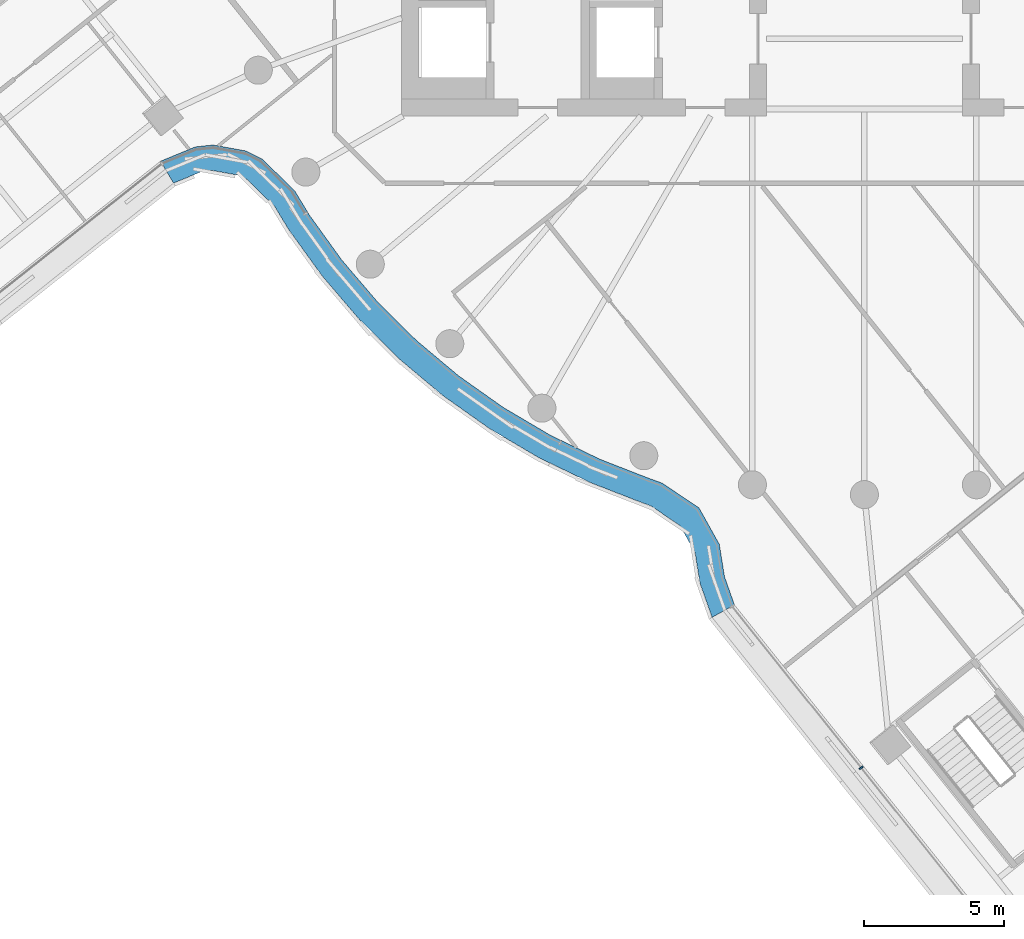
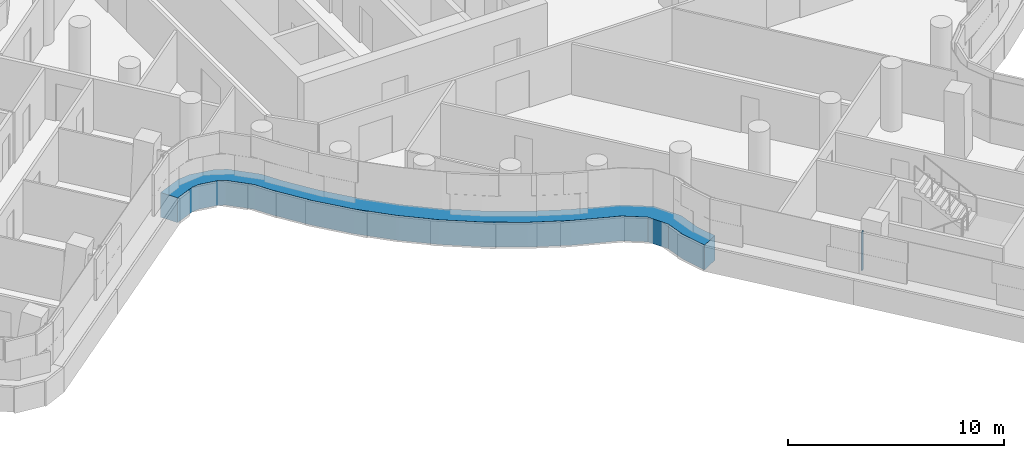
# One storey, part 3 of 31: 2 members, 2 elements without a shape of their own.
"""IFC4 building model written with IfcOpenShell, lengths in metres."""

from ifc_helpers import new_model, si_unit, direction, frame, origin, origin_2d, place, context, subcontext, project, spatial, polyline, rectangle, outline, extrude, material, layer, layer_set, material_profile, profile_set, type_object, element, aggregate, save


model = new_model("IFC4")

# Units and contexts
model_context = context("Model", 3, precision=1e-05, world=origin(), true_north=direction((0.0, 1.0)))
body_context = subcontext(model_context, "Body", "Model", "MODEL_VIEW")
ifc_project = project(units=[si_unit("LENGTHUNIT", "METRE"), si_unit("AREAUNIT", "SQUARE_METRE"), si_unit("VOLUMEUNIT", "CUBIC_METRE"), si_unit("PLANEANGLEUNIT", "RADIAN"), si_unit("MASSUNIT", "GRAM", prefix="KILO")], contexts=[model_context])

# Site, building, storey
site_placement = place(None, origin())
site = spatial("IfcSite", under=ifc_project, at=site_placement, CompositionType="ELEMENT")
building_placement = place(site_placement, origin())
building = spatial("IfcBuilding", under=site, at=building_placement, Name="Tamarind Cross Interchange Tower", CompositionType="ELEMENT")
storey_placement = place(building_placement, frame((0.0, 0.0, 174.25)))
storey = spatial("IfcBuildingStorey", under=building, at=storey_placement, Name="L43", CompositionType="ELEMENT", Elevation=174.25)

# Curtain wall, member
ifc_material_1 = material(Name="Aluminium 6063-T6", Category="aluminium")
ifc_layer = layer(ifc_material_1, 0.159912109375)
ifc_layer_set = layer_set([ifc_layer], Name="Aluminium 6063-T6")
curtain_wall_type = type_object("IfcCurtainWallType", Name="Office curtain wall, 9.0 m bays", PredefinedType="NOTDEFINED", material=ifc_layer_set)
curtain_wall_1_placement = place(storey_placement, origin())
curtain_wall_1 = element("IfcCurtainWall", 1, at=curtain_wall_1_placement, inside=storey, type_object=curtain_wall_type, Name="CWS-L43-02", PredefinedType="NOTDEFINED")
ifc_material_2 = material(Name="Aluminium and insulated spandrel panel", Category="aluminium")
member_type_1 = type_object("IfcMemberType", Name="Floor-edge blade transom", PredefinedType="USERDEFINED", material=ifc_material_2)
member_1_placement = place(storey_placement, origin())
member_1 = element("IfcMember", 2, at=member_1_placement, type_object=member_type_1, Name="CWT-L43-02", ObjectType="TRANSOM", PredefinedType="USERDEFINED", context=body_context, shape_type="SweptSolid", body=[
    extrude(outline(polyline([(-25.097900390625, -11.109375), (-23.857177734375, -10.599365234375), (-23.224365234375, -10.532470703125), (-22.0458984375, -10.746337890625), (-21.473388671875, -11.03271484375), (-20.3154296875, -12.16650390625), (-19.78173828125, -13.045166015625), (-18.636474609375, -14.634521484375), (-17.3642578125, -16.12353515625), (-15.973388671875, -17.50244140625), (-14.4736328125, -18.76171875), (-12.874755859375, -19.892822265625), (-11.188232421875, -20.88818359375), (-9.42431640625, -21.740966796875), (-7.782958984375, -22.38134765625), (-7.210693359375, -22.590576171875), (-5.896484375, -23.474609375), (-5.173828125, -24.770751953125), (-4.988525390625, -25.92919921875), (-4.633056640625, -26.933837890625), (-5.430908203125, -27.377197265625), (-5.8642578125, -26.15234375), (-6.037353515625, -25.070068359375), (-6.57763671875, -24.10107421875), (-7.622314453125, -23.3984375), (-8.10107421875, -23.223388671875), (-9.784423828125, -22.566650390625), (-11.613525390625, -21.68212890625), (-13.3642578125, -20.64892578125), (-15.023681640625, -19.474853515625), (-16.580810546875, -18.167724609375), (-18.0244140625, -16.736572265625), (-19.344970703125, -15.19091796875), (-20.532470703125, -13.54248046875), (-21.02587890625, -12.73046875), (-22.002197265625, -11.7744140625), (-22.333251953125, -11.60888671875), (-23.258056640625, -11.441162109375), (-23.63427734375, -11.48095703125), (-24.637451171875, -11.893310546875), (-25.097900390625, -11.109375)])), origin(), (0.0, 0.0, 1.0), 1.39990234375),
])
aggregate(curtain_wall_1, [member_1])

curtain_wall_2_placement = place(storey_placement, origin())
curtain_wall_2 = element("IfcCurtainWall", 3, at=curtain_wall_2_placement, inside=storey, type_object=curtain_wall_type, Name="CWS-L43-03", PredefinedType="NOTDEFINED")
ifc_material_profile = material_profile(ifc_material_1, rectangle(XDim=0.06005859375, YDim=0.159912109375, at=origin_2d()), Name="Mullion CW1")
ifc_profile_set = profile_set([ifc_material_profile], Name="Aluminium 6063-T6")
member_type_2 = type_object("IfcMemberType", Name="Mullion CW1", PredefinedType="MULLION", material=ifc_profile_set)
member_2_placement = place(storey_placement, frame((-0.1162109375, -32.740478515625, 1.39990234375), z_axis=(0.0, 0.0, 1.0), x_axis=(0.624664951388, -0.780892885425, 0.0)))
member_2 = element("IfcMember", 4, at=member_2_placement, type_object=member_type_2, Name="CWM-L43-03-01", PredefinedType="MULLION", context=body_context, shape_type="SweptSolid", body=[
    extrude(rectangle(XDim=0.06005859375, YDim=0.159912109375, at=origin_2d()), origin(), (0.0, 0.0, 1.0), 2.170166015625),
])
aggregate(curtain_wall_2, [member_2])

save(model, "model.ifc")
